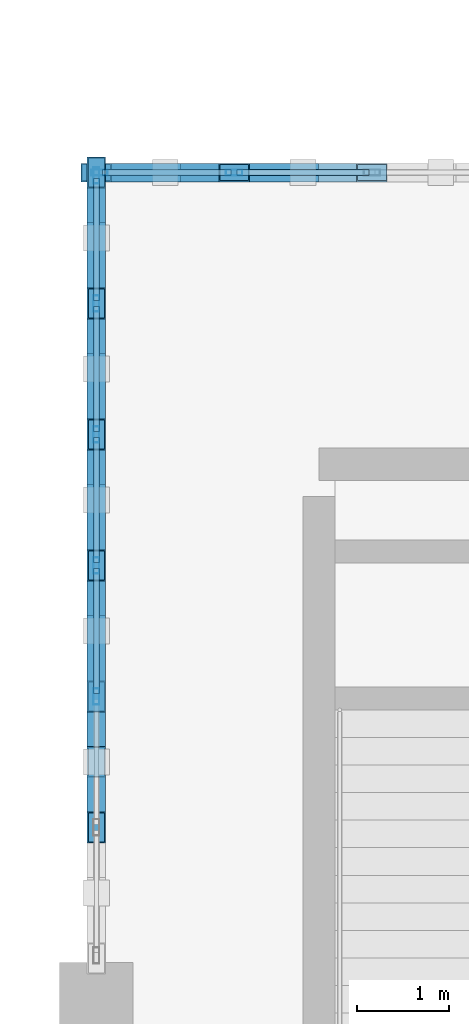
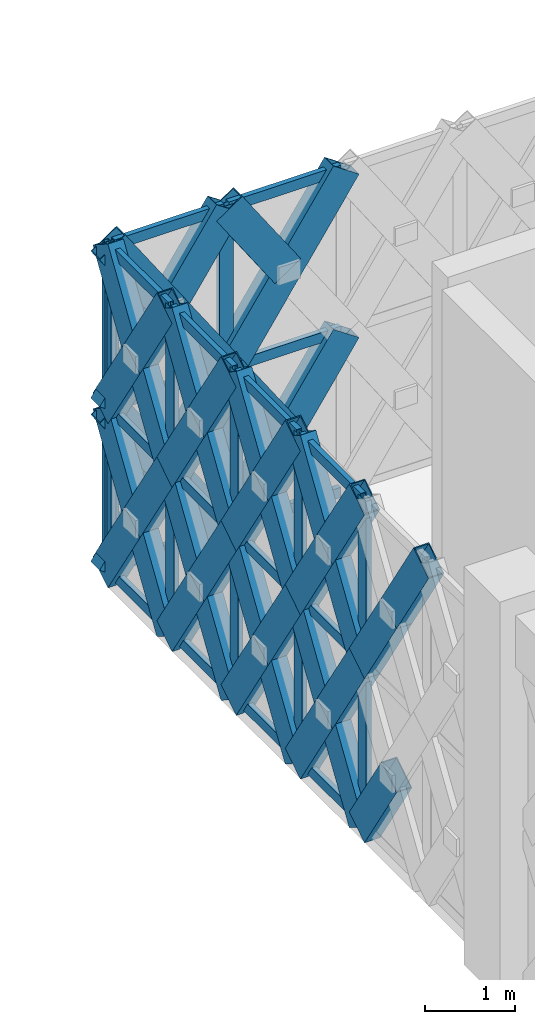
# One storey, part 33 of 86: 62 members, 2 elements without a shape of their own.
"""IFC4 building model written with IfcOpenShell, lengths in metres."""

import ifcopenshell
import ifcopenshell.guid

model = None  # the IFC model being written
_history = None  # IfcOwnerHistory: only IFC2X3 demands one
_inside = {}  # id of a spatial element -> (the spatial element, [elements in it])
_under = {}  # id of a project, library or spatial element -> (it, [spatial elements below it])
_declared = {}  # id of a project -> (the project, [libraries it declares])
_typed = {}  # id of a type object -> (the type object, [elements of that type])
_made_of = {}  # id of a material, layer set ... -> (it, [elements and type objects made of it])


def new_model(schema):
    """Start an empty IFC model of exactly this schema.

    Asked for "IFC4X3", IfcOpenShell would pick the latest addendum, in which some entities
    have other attributes; the version numbers below select the first issue.
    IFC2X3 requires an IfcOwnerHistory on every rooted entity: one is made here for all.
    """
    global model, _history
    if schema == "IFC4X3":
        model = ifcopenshell.file(schema_version=(4, 3, 0, 0))
    else:
        model = ifcopenshell.file(schema=schema)
    _inside.clear()
    _under.clear()
    _declared.clear()
    _typed.clear()
    _made_of.clear()
    _history = None
    if model.schema == "IFC2X3":
        org = make("IfcOrganization", Name="unknown")
        user = make(
            "IfcPersonAndOrganization",
            ThePerson=make("IfcPerson", FamilyName="unknown"),
            TheOrganization=org,
        )
        app = make(
            "IfcApplication",
            ApplicationDeveloper=org,
            Version="unknown",
            ApplicationFullName="unknown",
            ApplicationIdentifier="unknown",
        )
        _history = make(
            "IfcOwnerHistory",
            OwningUser=user,
            OwningApplication=app,
            ChangeAction="ADDED",
            CreationDate=0,
        )
    return model


def make(cls, **values):
    """One entity of the class cls with the attributes given. An attribute that is None is left unset."""
    return model.create_entity(
        cls, **{name: value for name, value in values.items() if value is not None}
    )


def rooted(cls, **values):
    """An entity with a GlobalId (a new one), such as an element, a storey or a relation."""
    return make(cls, GlobalId=ifcopenshell.guid.new(), OwnerHistory=_history, **values)


def si_unit(unit_type, name, prefix=None):
    """IfcSIUnit, for example si_unit("LENGTHUNIT", "METRE", prefix="MILLI")."""
    return make("IfcSIUnit", UnitType=unit_type, Prefix=prefix, Name=name)


def assignment(units):
    """IfcUnitAssignment: the units of a project."""
    return None if units is None else make("IfcUnitAssignment", Units=units)


def point(xyz):
    """IfcCartesianPoint."""
    return None if xyz is None else make("IfcCartesianPoint", Coordinates=xyz)


def direction(xyz):
    """IfcDirection."""
    return None if xyz is None else make("IfcDirection", DirectionRatios=xyz)


def frame(location, z_axis=None, x_axis=None):
    """IfcAxis2Placement3D, a coordinate frame: its origin and axes. An axis left out is left unset."""
    return make(
        "IfcAxis2Placement3D",
        Location=point(location),
        Axis=direction(z_axis),
        RefDirection=direction(x_axis),
    )


def frame_2d(location, x_axis=None):
    """IfcAxis2Placement2D, a coordinate frame in the plane: its origin and x axis."""
    return make(
        "IfcAxis2Placement2D", Location=point(location), RefDirection=direction(x_axis)
    )


def origin():
    """The frame at (0, 0, 0) with its axes left unset."""
    return frame((0.0, 0.0, 0.0))


def origin_2d():
    """The frame at (0, 0) in the plane with its x axis left unset."""
    return frame_2d((0.0, 0.0))


def place(relative_to, where):
    """IfcLocalPlacement: puts the frame where relative to a parent placement (None: the world)."""
    return make(
        "IfcLocalPlacement", PlacementRelTo=relative_to, RelativePlacement=where
    )


def context(
    kind, dimensions, precision=None, world=None, true_north=None, identifier=None
):
    """IfcGeometricRepresentationContext, for example the 3D "Model" context."""
    return make(
        "IfcGeometricRepresentationContext",
        ContextIdentifier=identifier,
        ContextType=kind,
        CoordinateSpaceDimension=dimensions,
        Precision=precision,
        WorldCoordinateSystem=world,
        TrueNorth=true_north,
    )


def subcontext(parent, identifier, kind, view, scale=None):
    """IfcGeometricRepresentationSubContext, for example "Body" below "Model"."""
    return make(
        "IfcGeometricRepresentationSubContext",
        ContextIdentifier=identifier,
        ContextType=kind,
        ParentContext=parent,
        TargetScale=scale,
        TargetView=view,
    )


def project(units=None, contexts=None):
    """IfcProject with its units and contexts."""
    return rooted(
        "IfcProject",
        Name="project",
        RepresentationContexts=contexts,
        UnitsInContext=assignment(units),
    )


def spatial(cls, under=None, at=None, **own):
    """A site, building, storey or space (cls), placed at a placement, below another one or the project."""
    s = rooted(cls, ObjectPlacement=at, **own)
    if under is not None:
        _under.setdefault(under.id(), (under, []))[1].append(s)
    return s


def profile(cls, at=None, kind="AREA", **sizes):
    """A parametric profile (cls). Its sizes go by their IFC names, for example OverallWidth=200.0."""
    return make(cls, ProfileType=kind, Position=at, **sizes)


def hollow_rectangle(**sizes):
    """IfcRectangleHollowProfileDef."""
    return profile("IfcRectangleHollowProfileDef", **sizes)


def extrude(swept, where, along, depth):
    """IfcExtrudedAreaSolid: the profile swept, set in the frame where, extruded along a direction by depth."""
    return make(
        "IfcExtrudedAreaSolid",
        SweptArea=swept,
        Position=where,
        ExtrudedDirection=direction(along),
        Depth=depth,
    )


def shape(context_of_items, identifier, shape_type, items):
    """IfcShapeRepresentation: the items that make up one representation, for example the "Body"."""
    return make(
        "IfcShapeRepresentation",
        ContextOfItems=context_of_items,
        RepresentationIdentifier=identifier,
        RepresentationType=shape_type,
        Items=items,
    )


def material(Name=None, Category=None):
    """IfcMaterial."""
    return make("IfcMaterial", Name=Name, Category=Category)


def material_profile(
    of_material, cross_section, Name=None, Category=None, Priority=None
):
    """IfcMaterialProfile: a cross section and its material."""
    return make(
        "IfcMaterialProfile",
        Name=Name,
        Material=of_material,
        Profile=cross_section,
        Priority=Priority,
        Category=Category,
    )


def profile_set(profiles, Name=None, composite=None):
    """IfcMaterialProfileSet."""
    return make(
        "IfcMaterialProfileSet",
        Name=Name,
        MaterialProfiles=profiles,
        CompositeProfile=composite,
    )


def made_of(thing, what):
    """Note that an element or type object is made of a material, layer set ...; save() writes the relation."""
    if what is not None:
        _made_of.setdefault(what.id(), (what, []))[1].append(thing)
    return thing


def type_object(cls, material=None, **own):
    """A type object (cls), such as IfcWallType, which elements share."""
    return made_of(rooted(cls, **own), material)


def element(
    cls,
    number,
    at=None,
    inside=None,
    cuts=None,
    type_object=None,
    material=None,
    context=None,
    identifier="Body",
    shape_type=None,
    held_by="IfcProductDefinitionShape",
    body=None,
    shapes=None,
    **own,
):
    """One element of the class cls, such as IfcWall. Its Tag is "e" and its number.

    at: its placement. inside: the storey or other place that contains it. cuts: it is an
    opening in that element (IfcRelVoidsElement). A single representation is given by context,
    identifier, shape_type and body (its items); several are given by shapes. held_by: the class
    of the entity that holds the representations. save() writes the other relations.
    """
    e = rooted(cls, Tag="e%d" % number, ObjectPlacement=at, **own)
    if body is not None:
        shapes = [shape(context, identifier, shape_type, body)]
    if shapes is not None:
        e.Representation = make(held_by, Representations=shapes)
    if inside is not None:
        _inside.setdefault(inside.id(), (inside, []))[1].append(e)
    if cuts is not None:
        rooted(
            "IfcRelVoidsElement", RelatingBuildingElement=cuts, RelatedOpeningElement=e
        )
    if type_object is not None:
        _typed.setdefault(type_object.id(), (type_object, []))[1].append(e)
    return made_of(e, material)


def aggregate(whole, parts):
    """IfcRelAggregates: a whole, such as a stair, and the parts it consists of."""
    return rooted("IfcRelAggregates", RelatingObject=whole, RelatedObjects=parts)


def save(model, path):
    """Write the relations noted so far, then the file.

    IfcRelAggregates (storeys below a building ...), IfcRelContainedInSpatialStructure (elements
    in a storey), IfcRelDefinesByType, IfcRelAssociatesMaterial and IfcRelDeclares: one each for
    every whole, place, type object, material and project.
    """
    for whole, parts in _under.values():
        aggregate(whole, parts)
    for where, things in _inside.values():
        rooted(
            "IfcRelContainedInSpatialStructure",
            RelatedElements=things,
            RelatingStructure=where,
        )
    for kind, things in _typed.values():
        rooted("IfcRelDefinesByType", RelatedObjects=things, RelatingType=kind)
    for what, things in _made_of.values():
        rooted("IfcRelAssociatesMaterial", RelatedObjects=things, RelatingMaterial=what)
    for by, libraries in _declared.values():
        rooted("IfcRelDeclares", RelatingContext=by, RelatedDefinitions=libraries)
    model.write(path)


model = new_model("IFC4")

# Units and contexts
model_context = context("Model", 3, precision=1e-05, world=origin(), true_north=direction((0.0, 1.0)))
body_context = subcontext(model_context, "Body", "Model", "MODEL_VIEW")
ifc_project = project(units=[si_unit("LENGTHUNIT", "METRE"), si_unit("AREAUNIT", "SQUARE_METRE"), si_unit("VOLUMEUNIT", "CUBIC_METRE"), si_unit("PLANEANGLEUNIT", "RADIAN"), si_unit("MASSUNIT", "GRAM", prefix="KILO")], contexts=[model_context])

# Site, building, storey
site_placement = place(None, origin())
site = spatial("IfcSite", under=ifc_project, at=site_placement, CompositionType="ELEMENT")
building_placement = place(site_placement, origin())
building = spatial("IfcBuilding", under=site, at=building_placement, Name="Haizhuo Lancet Aquarium", CompositionType="ELEMENT")
storey_placement = place(building_placement, frame((0.0, 0.0, 16.199951171875)))
storey = spatial("IfcBuildingStorey", under=building, at=storey_placement, Name="L03", CompositionType="ELEMENT", Elevation=16.199951171875)

# Curtain wall, members
ifc_material_1 = material(Name="Aluminium 6063-T6", Category="aluminium")
curtain_wall_type_1 = type_object("IfcCurtainWallType", Name="CWD-9000x4430", PredefinedType="NOTDEFINED", material=ifc_material_1)
curtain_wall_1_placement = place(storey_placement, origin())
curtain_wall_1 = element("IfcCurtainWall", 1, at=curtain_wall_1_placement, inside=storey, type_object=curtain_wall_type_1, Name="L03 curtain wall CW-V5-L03-160", PredefinedType="NOTDEFINED")
ifc_material_profile_1 = material_profile(ifc_material_1, hollow_rectangle(XDim=0.06494140625, YDim=0.179931640625, WallThickness=0.00390625, at=origin_2d()), Name="ALU-M 65x180x4")
ifc_profile_set_1 = profile_set([ifc_material_profile_1], Name="Aluminium 6063-T6")
member_type_1 = type_object("IfcMemberType", Name="CW-MUL-1", PredefinedType="MULLION", material=ifc_profile_set_1)
member_1_placement = place(storey_placement, frame((-26.968017578125, 54.0, 0.0), z_axis=(0.0, 0.0, 1.0), x_axis=(0.0, 1.0, 0.0)))
member_1 = element("IfcMember", 2, at=member_1_placement, type_object=member_type_1, Name="CWD-90x44 mullion 1", PredefinedType="MULLION", context=body_context, shape_type="SweptSolid", body=[
    extrude(hollow_rectangle(XDim=0.06494140625, YDim=0.179931640625, WallThickness=0.00390625, at=origin_2d()), origin(), (0.0, 0.0, 1.0), 4.43505859375),
])
member_2_placement = place(storey_placement, frame((-25.5, 54.0, 0.0), z_axis=(0.0, 0.0, 1.0), x_axis=(0.0, 1.0, 0.0)))
member_2 = element("IfcMember", 3, at=member_2_placement, type_object=member_type_1, Name="CWD-90x44 mullion 2", PredefinedType="MULLION", context=body_context, shape_type="SweptSolid", body=[
    extrude(hollow_rectangle(XDim=0.06494140625, YDim=0.179931640625, WallThickness=0.00390625, at=origin_2d()), origin(), (0.0, 0.0, 1.0), 4.43505859375),
])

curtain_wall_type_2 = type_object("IfcCurtainWallType", Name="CWD-8560x4450", PredefinedType="NOTDEFINED", material=ifc_material_1)
curtain_wall_2_placement = place(storey_placement, origin())
curtain_wall_2 = element("IfcCurtainWall", 4, at=curtain_wall_2_placement, inside=storey, type_object=curtain_wall_type_2, Name="L03 curtain wall CW-V5-L03-175", PredefinedType="NOTDEFINED")
member_3_placement = place(storey_placement, frame((-27.0, 48.297119140625, 0.0), z_axis=(0.0, 0.0, 1.0), x_axis=(-1.0, 0.0, 0.0)))
member_3 = element("IfcMember", 5, at=member_3_placement, type_object=member_type_1, Name="CWD-85x44 mullion 3", PredefinedType="MULLION", context=body_context, shape_type="SweptSolid", body=[
    extrude(hollow_rectangle(XDim=0.06494140625, YDim=0.179931640625, WallThickness=0.00390625, at=origin_2d()), origin(), (0.0, 0.0, 1.0), 4.449951171875),
])
member_4_placement = place(storey_placement, frame((-27.0, 49.721923828125, 0.0), z_axis=(0.0, 0.0, 1.0), x_axis=(-1.0, 0.0, 0.0)))
member_4 = element("IfcMember", 6, at=member_4_placement, type_object=member_type_1, Name="CWD-85x44 mullion 4", PredefinedType="MULLION", context=body_context, shape_type="SweptSolid", body=[
    extrude(hollow_rectangle(XDim=0.06494140625, YDim=0.179931640625, WallThickness=0.00390625, at=origin_2d()), origin(), (0.0, 0.0, 1.0), 4.449951171875),
])
member_5_placement = place(storey_placement, frame((-27.0, 51.14794921875, 0.0), z_axis=(0.0, 0.0, 1.0), x_axis=(-1.0, 0.0, 0.0)))
member_5 = element("IfcMember", 7, at=member_5_placement, type_object=member_type_1, Name="CWD-85x44 mullion 5", PredefinedType="MULLION", context=body_context, shape_type="SweptSolid", body=[
    extrude(hollow_rectangle(XDim=0.06494140625, YDim=0.179931640625, WallThickness=0.00390625, at=origin_2d()), origin(), (0.0, 0.0, 1.0), 4.449951171875),
])
member_6_placement = place(storey_placement, frame((-27.0, 52.573974609375, 0.0), z_axis=(0.0, 0.0, 1.0), x_axis=(-1.0, 0.0, 0.0)))
member_6 = element("IfcMember", 8, at=member_6_placement, type_object=member_type_1, Name="CWD-85x44 mullion 6", PredefinedType="MULLION", context=body_context, shape_type="SweptSolid", body=[
    extrude(hollow_rectangle(XDim=0.06494140625, YDim=0.179931640625, WallThickness=0.00390625, at=origin_2d()), origin(), (0.0, 0.0, 1.0), 4.449951171875),
])
member_7_placement = place(storey_placement, frame((-27.0, 53.968017578125, 0.0), z_axis=(0.0, 0.0, 1.0), x_axis=(-1.0, 0.0, 0.0)))
member_7 = element("IfcMember", 9, at=member_7_placement, type_object=member_type_1, Name="CWD-85x44 mullion 7", PredefinedType="MULLION", context=body_context, shape_type="SweptSolid", body=[
    extrude(hollow_rectangle(XDim=0.06494140625, YDim=0.179931640625, WallThickness=0.00390625, at=origin_2d()), origin(), (0.0, 0.0, 1.0), 4.449951171875),
])

# Member
ifc_material_profile_2 = material_profile(ifc_material_1, hollow_rectangle(XDim=0.06494140625, YDim=0.139892578125, WallThickness=0.00390625, at=origin_2d()), Name="ALU-T 65x140x4")
ifc_profile_set_2 = profile_set([ifc_material_profile_2], Name="Aluminium 6063-T6")
member_type_2 = type_object("IfcMemberType", Name="CW-TRN-1", PredefinedType="NOTDEFINED", material=ifc_profile_set_2)
member_8_placement = place(storey_placement, frame((-26.93505859375, 54.0, 0.031982421875), z_axis=(1.0, 0.0, 0.0), x_axis=(0.0, 1.0, 0.0)))
member_8 = element("IfcMember", 10, at=member_8_placement, type_object=member_type_2, Name="CWD-90x44 transom 1.1", ObjectType="TRANSOM", PredefinedType="USERDEFINED", context=body_context, shape_type="SweptSolid", body=[
    extrude(hollow_rectangle(XDim=0.06494140625, YDim=0.139892578125, WallThickness=0.00390625, at=origin_2d()), origin(), (0.0, 0.0, 1.0), 1.403076171875),
])

member_9_placement = place(storey_placement, frame((-26.93505859375, 54.0, 2.218017578125), z_axis=(1.0, 0.0, 0.0), x_axis=(0.0, 1.0, 0.0)))
member_9 = element("IfcMember", 11, at=member_9_placement, type_object=member_type_2, Name="CWD-90x44 transom 1.2", ObjectType="TRANSOM", PredefinedType="USERDEFINED", context=body_context, shape_type="SweptSolid", body=[
    extrude(hollow_rectangle(XDim=0.06494140625, YDim=0.139892578125, WallThickness=0.00390625, at=origin_2d()), origin(), (0.0, 0.0, 1.0), 1.403076171875),
])

member_10_placement = place(storey_placement, frame((-26.93505859375, 54.0, 4.403076171875), z_axis=(1.0, 0.0, 0.0), x_axis=(0.0, 1.0, 0.0)))
member_10 = element("IfcMember", 12, at=member_10_placement, type_object=member_type_2, Name="CWD-90x44 transom 1.3", ObjectType="TRANSOM", PredefinedType="USERDEFINED", context=body_context, shape_type="SweptSolid", body=[
    extrude(hollow_rectangle(XDim=0.06494140625, YDim=0.139892578125, WallThickness=0.00390625, at=origin_2d()), origin(), (0.0, 0.0, 1.0), 1.403076171875),
])

member_11_placement = place(storey_placement, frame((-25.468017578125, 54.0, 0.031982421875), z_axis=(1.0, 0.0, 0.0), x_axis=(0.0, 1.0, 0.0)))
member_11 = element("IfcMember", 13, at=member_11_placement, type_object=member_type_2, Name="CWD-90x44 transom 2.1", ObjectType="TRANSOM", PredefinedType="USERDEFINED", context=body_context, shape_type="SweptSolid", body=[
    extrude(hollow_rectangle(XDim=0.06494140625, YDim=0.139892578125, WallThickness=0.00390625, at=origin_2d()), origin(), (0.0, 0.0, 1.0), 1.43603515625),
])

member_12_placement = place(storey_placement, frame((-25.468017578125, 54.0, 2.218017578125), z_axis=(1.0, 0.0, 0.0), x_axis=(0.0, 1.0, 0.0)))
member_12 = element("IfcMember", 14, at=member_12_placement, type_object=member_type_2, Name="CWD-90x44 transom 2.2", ObjectType="TRANSOM", PredefinedType="USERDEFINED", context=body_context, shape_type="SweptSolid", body=[
    extrude(hollow_rectangle(XDim=0.06494140625, YDim=0.139892578125, WallThickness=0.00390625, at=origin_2d()), origin(), (0.0, 0.0, 1.0), 1.43603515625),
])

member_13_placement = place(storey_placement, frame((-25.468017578125, 54.0, 4.403076171875), z_axis=(1.0, 0.0, 0.0), x_axis=(0.0, 1.0, 0.0)))
member_13 = element("IfcMember", 15, at=member_13_placement, type_object=member_type_2, Name="CWD-90x44 transom 2.3", ObjectType="TRANSOM", PredefinedType="USERDEFINED", context=body_context, shape_type="SweptSolid", body=[
    extrude(hollow_rectangle(XDim=0.06494140625, YDim=0.139892578125, WallThickness=0.00390625, at=origin_2d()), origin(), (0.0, 0.0, 1.0), 1.43603515625),
])

aggregate(curtain_wall_1, [member_1, member_2, member_8, member_9, member_10, member_11, member_12, member_13])

member_14_placement = place(storey_placement, frame((-27.0, 48.3291015625, 0.031982421875), z_axis=(0.0, 1.0, 0.0), x_axis=(-1.0, 0.0, 0.0)))
member_14 = element("IfcMember", 16, at=member_14_placement, type_object=member_type_2, Name="CWD-85x44 transom 3.1", ObjectType="TRANSOM", PredefinedType="USERDEFINED", context=body_context, shape_type="SweptSolid", body=[
    extrude(hollow_rectangle(XDim=0.06494140625, YDim=0.139892578125, WallThickness=0.00390625, at=origin_2d()), origin(), (0.0, 0.0, 1.0), 1.36083984375),
])

member_15_placement = place(storey_placement, frame((-27.0, 48.3291015625, 2.22509765625), z_axis=(0.0, 1.0, 0.0), x_axis=(-1.0, 0.0, 0.0)))
member_15 = element("IfcMember", 17, at=member_15_placement, type_object=member_type_2, Name="CWD-85x44 transom 3.2", ObjectType="TRANSOM", PredefinedType="USERDEFINED", context=body_context, shape_type="SweptSolid", body=[
    extrude(hollow_rectangle(XDim=0.06494140625, YDim=0.139892578125, WallThickness=0.00390625, at=origin_2d()), origin(), (0.0, 0.0, 1.0), 1.36083984375),
])

member_16_placement = place(storey_placement, frame((-27.0, 48.3291015625, 4.4169921875), z_axis=(0.0, 1.0, 0.0), x_axis=(-1.0, 0.0, 0.0)))
member_16 = element("IfcMember", 18, at=member_16_placement, type_object=member_type_2, Name="CWD-85x44 transom 3.3", ObjectType="TRANSOM", PredefinedType="USERDEFINED", context=body_context, shape_type="SweptSolid", body=[
    extrude(hollow_rectangle(XDim=0.06494140625, YDim=0.139892578125, WallThickness=0.00390625, at=origin_2d()), origin(), (0.0, 0.0, 1.0), 1.36083984375),
])

member_17_placement = place(storey_placement, frame((-27.0, 49.7548828125, 0.031982421875), z_axis=(0.0, 1.0, 0.0), x_axis=(-1.0, 0.0, 0.0)))
member_17 = element("IfcMember", 19, at=member_17_placement, type_object=member_type_2, Name="CWD-85x44 transom 4.1", ObjectType="TRANSOM", PredefinedType="USERDEFINED", context=body_context, shape_type="SweptSolid", body=[
    extrude(hollow_rectangle(XDim=0.06494140625, YDim=0.139892578125, WallThickness=0.00390625, at=origin_2d()), origin(), (0.0, 0.0, 1.0), 1.361083984375),
])

member_18_placement = place(storey_placement, frame((-27.0, 49.7548828125, 2.22509765625), z_axis=(0.0, 1.0, 0.0), x_axis=(-1.0, 0.0, 0.0)))
member_18 = element("IfcMember", 20, at=member_18_placement, type_object=member_type_2, Name="CWD-85x44 transom 4.2", ObjectType="TRANSOM", PredefinedType="USERDEFINED", context=body_context, shape_type="SweptSolid", body=[
    extrude(hollow_rectangle(XDim=0.06494140625, YDim=0.139892578125, WallThickness=0.00390625, at=origin_2d()), origin(), (0.0, 0.0, 1.0), 1.361083984375),
])

member_19_placement = place(storey_placement, frame((-27.0, 49.7548828125, 4.4169921875), z_axis=(0.0, 1.0, 0.0), x_axis=(-1.0, 0.0, 0.0)))
member_19 = element("IfcMember", 21, at=member_19_placement, type_object=member_type_2, Name="CWD-85x44 transom 4.3", ObjectType="TRANSOM", PredefinedType="USERDEFINED", context=body_context, shape_type="SweptSolid", body=[
    extrude(hollow_rectangle(XDim=0.06494140625, YDim=0.139892578125, WallThickness=0.00390625, at=origin_2d()), origin(), (0.0, 0.0, 1.0), 1.361083984375),
])

member_20_placement = place(storey_placement, frame((-27.0, 51.180908203125, 0.031982421875), z_axis=(0.0, 1.0, 0.0), x_axis=(-1.0, 0.0, 0.0)))
member_20 = element("IfcMember", 22, at=member_20_placement, type_object=member_type_2, Name="CWD-85x44 transom 5.1", ObjectType="TRANSOM", PredefinedType="USERDEFINED", context=body_context, shape_type="SweptSolid", body=[
    extrude(hollow_rectangle(XDim=0.06494140625, YDim=0.139892578125, WallThickness=0.00390625, at=origin_2d()), origin(), (0.0, 0.0, 1.0), 1.361083984375),
])

member_21_placement = place(storey_placement, frame((-27.0, 51.180908203125, 2.22509765625), z_axis=(0.0, 1.0, 0.0), x_axis=(-1.0, 0.0, 0.0)))
member_21 = element("IfcMember", 23, at=member_21_placement, type_object=member_type_2, Name="CWD-85x44 transom 5.2", ObjectType="TRANSOM", PredefinedType="USERDEFINED", context=body_context, shape_type="SweptSolid", body=[
    extrude(hollow_rectangle(XDim=0.06494140625, YDim=0.139892578125, WallThickness=0.00390625, at=origin_2d()), origin(), (0.0, 0.0, 1.0), 1.361083984375),
])

member_22_placement = place(storey_placement, frame((-27.0, 51.180908203125, 4.4169921875), z_axis=(0.0, 1.0, 0.0), x_axis=(-1.0, 0.0, 0.0)))
member_22 = element("IfcMember", 24, at=member_22_placement, type_object=member_type_2, Name="CWD-85x44 transom 5.3", ObjectType="TRANSOM", PredefinedType="USERDEFINED", context=body_context, shape_type="SweptSolid", body=[
    extrude(hollow_rectangle(XDim=0.06494140625, YDim=0.139892578125, WallThickness=0.00390625, at=origin_2d()), origin(), (0.0, 0.0, 1.0), 1.361083984375),
])

member_23_placement = place(storey_placement, frame((-27.0, 52.60693359375, 0.031982421875), z_axis=(0.0, 1.0, 0.0), x_axis=(-1.0, 0.0, 0.0)))
member_23 = element("IfcMember", 25, at=member_23_placement, type_object=member_type_2, Name="CWD-85x44 transom 6.1", ObjectType="TRANSOM", PredefinedType="USERDEFINED", context=body_context, shape_type="SweptSolid", body=[
    extrude(hollow_rectangle(XDim=0.06494140625, YDim=0.139892578125, WallThickness=0.00390625, at=origin_2d()), origin(), (0.0, 0.0, 1.0), 1.328125),
])

member_24_placement = place(storey_placement, frame((-27.0, 52.60693359375, 2.22509765625), z_axis=(0.0, 1.0, 0.0), x_axis=(-1.0, 0.0, 0.0)))
member_24 = element("IfcMember", 26, at=member_24_placement, type_object=member_type_2, Name="CWD-85x44 transom 6.2", ObjectType="TRANSOM", PredefinedType="USERDEFINED", context=body_context, shape_type="SweptSolid", body=[
    extrude(hollow_rectangle(XDim=0.06494140625, YDim=0.139892578125, WallThickness=0.00390625, at=origin_2d()), origin(), (0.0, 0.0, 1.0), 1.328125),
])

member_25_placement = place(storey_placement, frame((-27.0, 52.60693359375, 4.4169921875), z_axis=(0.0, 1.0, 0.0), x_axis=(-1.0, 0.0, 0.0)))
member_25 = element("IfcMember", 27, at=member_25_placement, type_object=member_type_2, Name="CWD-85x44 transom 6.3", ObjectType="TRANSOM", PredefinedType="USERDEFINED", context=body_context, shape_type="SweptSolid", body=[
    extrude(hollow_rectangle(XDim=0.06494140625, YDim=0.139892578125, WallThickness=0.00390625, at=origin_2d()), origin(), (0.0, 0.0, 1.0), 1.328125),
])

aggregate(curtain_wall_2, [member_3, member_4, member_5, member_6, member_7, member_14, member_15, member_16, member_17, member_18, member_19, member_20, member_21, member_22, member_23, member_24, member_25])

# Members
ifc_material_2 = material(Name="Steel S355", Category="steel")
ifc_material_profile_3 = material_profile(ifc_material_2, hollow_rectangle(XDim=0.199951171875, YDim=0.39990234375, WallThickness=0.011962890625, at=origin_2d()), Name="RHS 200x400x12")
ifc_profile_set_3 = profile_set([ifc_material_profile_3], Name="Steel S355")
member_type_3 = type_object("IfcMemberType", Name="MEM-LB-RHS200x400", PredefinedType="BRACE", material=ifc_profile_set_3)
member_26_placement = place(storey_placement, frame((-27.0, 54.0, 0.0), z_axis=(0.560200814461, 0.0, 0.828356835837), x_axis=(0.0, 1.0, 0.0)))
element("IfcMember", 28, at=member_26_placement, inside=storey, type_object=member_type_3, Name="Gothic lancet continuous diagonal brace CW-V5-L03-160 1A", PredefinedType="BRACE", context=body_context, shape_type="SweptSolid", body=[
    extrude(hollow_rectangle(XDim=0.199951171875, YDim=0.39990234375, WallThickness=0.011962890625, at=origin_2d()), origin(), (0.0, 0.0, 1.0), 2.677490234375),
])
member_27_placement = place(storey_placement, frame((-25.5, 54.0, 0.0), z_axis=(-0.560158505884, 0.0, 0.828385446689), x_axis=(0.0, -1.0, 0.0)))
element("IfcMember", 29, at=member_27_placement, inside=storey, type_object=member_type_3, Name="Gothic lancet split diagonal brace CW-V5-L03-160 1B1", PredefinedType="BRACE", context=body_context, shape_type="SweptSolid", body=[
    extrude(hollow_rectangle(XDim=0.199951171875, YDim=0.39990234375, WallThickness=0.011962890625, at=origin_2d()), origin(), (0.0, 0.0, 1.0), 1.3388671875),
])
member_28_placement = place(storey_placement, frame((-26.25, 54.0, 1.109130859375), z_axis=(-0.560243127969, 0.0, 0.8283282185), x_axis=(0.0, -1.0, 0.0)))
element("IfcMember", 30, at=member_28_placement, inside=storey, type_object=member_type_3, Name="Gothic lancet split diagonal brace CW-V5-L03-160 1B2", PredefinedType="BRACE", context=body_context, shape_type="SweptSolid", body=[
    extrude(hollow_rectangle(XDim=0.199951171875, YDim=0.39990234375, WallThickness=0.011962890625, at=origin_2d()), origin(), (0.0, 0.0, 1.0), 1.338623046875),
])
member_29_placement = place(storey_placement, frame((-27.0, 54.0, 2.218017578125), z_axis=(0.560370098074, 0.0, 0.828242327573), x_axis=(0.0, 1.0, 0.0)))
element("IfcMember", 31, at=member_29_placement, inside=storey, type_object=member_type_3, Name="Gothic lancet continuous diagonal brace CW-V5-L03-160 2A", PredefinedType="BRACE", context=body_context, shape_type="SweptSolid", body=[
    extrude(hollow_rectangle(XDim=0.199951171875, YDim=0.39990234375, WallThickness=0.011962890625, at=origin_2d()), origin(), (0.0, 0.0, 1.0), 2.6767578125),
])
member_30_placement = place(storey_placement, frame((-25.5, 54.0, 2.218017578125), z_axis=(-0.560581813555, 0.0, 0.828099046196), x_axis=(0.0, -1.0, 0.0)))
element("IfcMember", 32, at=member_30_placement, inside=storey, type_object=member_type_3, Name="Gothic lancet split diagonal brace CW-V5-L03-160 2B1", PredefinedType="BRACE", context=body_context, shape_type="SweptSolid", body=[
    extrude(hollow_rectangle(XDim=0.199951171875, YDim=0.39990234375, WallThickness=0.011962890625, at=origin_2d()), origin(), (0.0, 0.0, 1.0), 1.337890625),
])
member_31_placement = place(storey_placement, frame((-26.25, 54.0, 3.325927734375), z_axis=(-0.560158505884, 0.0, 0.828385446689), x_axis=(0.0, -1.0, 0.0)))
element("IfcMember", 33, at=member_31_placement, inside=storey, type_object=member_type_3, Name="Gothic lancet split diagonal brace CW-V5-L03-160 2B2", PredefinedType="BRACE", context=body_context, shape_type="SweptSolid", body=[
    extrude(hollow_rectangle(XDim=0.199951171875, YDim=0.39990234375, WallThickness=0.011962890625, at=origin_2d()), origin(), (0.0, 0.0, 1.0), 1.3388671875),
])
member_32_placement = place(storey_placement, frame((-25.5, 54.0, 0.0), z_axis=(0.560200814461, 0.0, 0.828356835837), x_axis=(0.0, 1.0, 0.0)))
element("IfcMember", 34, at=member_32_placement, inside=storey, type_object=member_type_3, Name="Gothic lancet continuous diagonal brace CW-V5-L03-160 3A", PredefinedType="BRACE", context=body_context, shape_type="SweptSolid", body=[
    extrude(hollow_rectangle(XDim=0.199951171875, YDim=0.39990234375, WallThickness=0.011962890625, at=origin_2d()), origin(), (0.0, 0.0, 1.0), 2.677490234375),
])
member_33_placement = place(storey_placement, frame((-24.75, 54.0, 1.109130859375), z_axis=(-0.560243127969, 0.0, 0.8283282185), x_axis=(0.0, -1.0, 0.0)))
element("IfcMember", 35, at=member_33_placement, inside=storey, type_object=member_type_3, Name="Gothic lancet split diagonal brace CW-V5-L03-160 3B2", PredefinedType="BRACE", context=body_context, shape_type="SweptSolid", body=[
    extrude(hollow_rectangle(XDim=0.199951171875, YDim=0.39990234375, WallThickness=0.011962890625, at=origin_2d()), origin(), (0.0, 0.0, 1.0), 1.338623046875),
])
member_34_placement = place(storey_placement, frame((-25.5, 54.0, 2.218017578125), z_axis=(0.560370098074, 0.0, 0.828242327573), x_axis=(0.0, 1.0, 0.0)))
element("IfcMember", 36, at=member_34_placement, inside=storey, type_object=member_type_3, Name="Gothic lancet continuous diagonal brace CW-V5-L03-160 4A", PredefinedType="BRACE", context=body_context, shape_type="SweptSolid", body=[
    extrude(hollow_rectangle(XDim=0.199951171875, YDim=0.39990234375, WallThickness=0.011962890625, at=origin_2d()), origin(), (0.0, 0.0, 1.0), 2.6767578125),
])
member_35_placement = place(storey_placement, frame((-24.75, 54.0, 3.325927734375), z_axis=(-0.560158505884, 0.0, 0.828385446689), x_axis=(0.0, -1.0, 0.0)))
element("IfcMember", 37, at=member_35_placement, inside=storey, type_object=member_type_3, Name="Gothic lancet split diagonal brace CW-V5-L03-160 4B2", PredefinedType="BRACE", context=body_context, shape_type="SweptSolid", body=[
    extrude(hollow_rectangle(XDim=0.199951171875, YDim=0.39990234375, WallThickness=0.011962890625, at=origin_2d()), origin(), (0.0, 0.0, 1.0), 1.3388671875),
])
member_36_placement = place(storey_placement, frame((-27.0, 48.297119140625, 0.0), z_axis=(0.0, -0.539813881097, 0.841784398629), x_axis=(1.0, 0.0, 0.0)))
element("IfcMember", 38, at=member_36_placement, inside=storey, type_object=member_type_3, Name="Gothic lancet split diagonal brace CW-V5-L03-175 3B1", PredefinedType="BRACE", context=body_context, shape_type="SweptSolid", body=[
    extrude(hollow_rectangle(XDim=0.199951171875, YDim=0.39990234375, WallThickness=0.011962890625, at=origin_2d()), origin(), (0.0, 0.0, 1.0), 1.321044921875),
])
member_37_placement = place(storey_placement, frame((-27.0, 48.297119140625, 2.22509765625), z_axis=(0.0, -0.539478141367, 0.841999605099), x_axis=(1.0, 0.0, 0.0)))
element("IfcMember", 39, at=member_37_placement, inside=storey, type_object=member_type_3, Name="Gothic lancet split diagonal brace CW-V5-L03-175 4B1", PredefinedType="BRACE", context=body_context, shape_type="SweptSolid", body=[
    extrude(hollow_rectangle(XDim=0.199951171875, YDim=0.39990234375, WallThickness=0.011962890625, at=origin_2d()), origin(), (0.0, 0.0, 1.0), 1.32177734375),
])
member_38_placement = place(storey_placement, frame((-27.0, 47.583984375, 3.338134765625), z_axis=(0.0, -0.539766892056, 0.841814529597), x_axis=(1.0, 0.0, 0.0)))
element("IfcMember", 40, at=member_38_placement, inside=storey, type_object=member_type_3, Name="Gothic lancet split diagonal brace CW-V5-L03-175 4B2", PredefinedType="BRACE", context=body_context, shape_type="SweptSolid", body=[
    extrude(hollow_rectangle(XDim=0.199951171875, YDim=0.39990234375, WallThickness=0.011962890625, at=origin_2d()), origin(), (0.0, 0.0, 1.0), 1.32080078125),
])
member_39_placement = place(storey_placement, frame((-27.0, 48.297119140625, 0.0), z_axis=(0.0, 0.539252957312, 0.842143840463), x_axis=(-1.0, 0.0, 0.0)))
element("IfcMember", 41, at=member_39_placement, inside=storey, type_object=member_type_3, Name="Gothic lancet continuous diagonal brace CW-V5-L03-175 5A", PredefinedType="BRACE", context=body_context, shape_type="SweptSolid", body=[
    extrude(hollow_rectangle(XDim=0.199951171875, YDim=0.39990234375, WallThickness=0.011962890625, at=origin_2d()), origin(), (0.0, 0.0, 1.0), 2.64208984375),
])
member_40_placement = place(storey_placement, frame((-27.0, 49.721923828125, 0.0), z_axis=(0.0, -0.539158627909, 0.842204235297), x_axis=(1.0, 0.0, 0.0)))
element("IfcMember", 42, at=member_40_placement, inside=storey, type_object=member_type_3, Name="Gothic lancet split diagonal brace CW-V5-L03-175 5B1", PredefinedType="BRACE", context=body_context, shape_type="SweptSolid", body=[
    extrude(hollow_rectangle(XDim=0.199951171875, YDim=0.39990234375, WallThickness=0.011962890625, at=origin_2d()), origin(), (0.0, 0.0, 1.0), 1.3203125),
])
member_41_placement = place(storey_placement, frame((-27.0, 49.010009765625, 1.112060546875), z_axis=(0.0, -0.539347183686, 0.842083496721), x_axis=(1.0, 0.0, 0.0)))
element("IfcMember", 43, at=member_41_placement, inside=storey, type_object=member_type_3, Name="Gothic lancet split diagonal brace CW-V5-L03-175 5B2", PredefinedType="BRACE", context=body_context, shape_type="SweptSolid", body=[
    extrude(hollow_rectangle(XDim=0.199951171875, YDim=0.39990234375, WallThickness=0.011962890625, at=origin_2d()), origin(), (0.0, 0.0, 1.0), 1.32177734375),
])
member_42_placement = place(storey_placement, frame((-27.0, 48.297119140625, 2.22509765625), z_axis=(0.0, 0.539294921897, 0.842116967657), x_axis=(-1.0, 0.0, 0.0)))
element("IfcMember", 44, at=member_42_placement, inside=storey, type_object=member_type_3, Name="Gothic lancet continuous diagonal brace CW-V5-L03-175 6A", PredefinedType="BRACE", context=body_context, shape_type="SweptSolid", body=[
    extrude(hollow_rectangle(XDim=0.199951171875, YDim=0.39990234375, WallThickness=0.011962890625, at=origin_2d()), origin(), (0.0, 0.0, 1.0), 2.64208984375),
])
member_43_placement = place(storey_placement, frame((-27.0, 49.721923828125, 2.22509765625), z_axis=(0.0, -0.538822961455, 0.8424190265), x_axis=(1.0, 0.0, 0.0)))
element("IfcMember", 45, at=member_43_placement, inside=storey, type_object=member_type_3, Name="Gothic lancet split diagonal brace CW-V5-L03-175 6B1", PredefinedType="BRACE", context=body_context, shape_type="SweptSolid", body=[
    extrude(hollow_rectangle(XDim=0.199951171875, YDim=0.39990234375, WallThickness=0.011962890625, at=origin_2d()), origin(), (0.0, 0.0, 1.0), 1.3212890625),
])
member_44_placement = place(storey_placement, frame((-27.0, 49.010009765625, 3.338134765625), z_axis=(0.0, -0.539766892056, 0.841814529597), x_axis=(1.0, 0.0, 0.0)))
element("IfcMember", 46, at=member_44_placement, inside=storey, type_object=member_type_3, Name="Gothic lancet split diagonal brace CW-V5-L03-175 6B2", PredefinedType="BRACE", context=body_context, shape_type="SweptSolid", body=[
    extrude(hollow_rectangle(XDim=0.199951171875, YDim=0.39990234375, WallThickness=0.011962890625, at=origin_2d()), origin(), (0.0, 0.0, 1.0), 1.32080078125),
])
member_45_placement = place(storey_placement, frame((-27.0, 49.721923828125, 0.0), z_axis=(0.0, 0.539580492151, 0.841934019083), x_axis=(-1.0, 0.0, 0.0)))
element("IfcMember", 47, at=member_45_placement, inside=storey, type_object=member_type_3, Name="Gothic lancet continuous diagonal brace CW-V5-L03-175 7A", PredefinedType="BRACE", context=body_context, shape_type="SweptSolid", body=[
    extrude(hollow_rectangle(XDim=0.199951171875, YDim=0.39990234375, WallThickness=0.011962890625, at=origin_2d()), origin(), (0.0, 0.0, 1.0), 2.642822265625),
])
member_46_placement = place(storey_placement, frame((-27.0, 51.14794921875, 0.0), z_axis=(0.0, -0.539682908867, 0.841868373249), x_axis=(1.0, 0.0, 0.0)))
element("IfcMember", 48, at=member_46_placement, inside=storey, type_object=member_type_3, Name="Gothic lancet split diagonal brace CW-V5-L03-175 7B1", PredefinedType="BRACE", context=body_context, shape_type="SweptSolid", body=[
    extrude(hollow_rectangle(XDim=0.199951171875, YDim=0.39990234375, WallThickness=0.011962890625, at=origin_2d()), origin(), (0.0, 0.0, 1.0), 1.321044921875),
])
member_47_placement = place(storey_placement, frame((-27.0, 50.43505859375, 1.112060546875), z_axis=(0.0, -0.539478141367, 0.841999605099), x_axis=(1.0, 0.0, 0.0)))
element("IfcMember", 49, at=member_47_placement, inside=storey, type_object=member_type_3, Name="Gothic lancet split diagonal brace CW-V5-L03-175 7B2", PredefinedType="BRACE", context=body_context, shape_type="SweptSolid", body=[
    extrude(hollow_rectangle(XDim=0.199951171875, YDim=0.39990234375, WallThickness=0.011962890625, at=origin_2d()), origin(), (0.0, 0.0, 1.0), 1.32177734375),
])
member_48_placement = place(storey_placement, frame((-27.0, 49.721923828125, 2.22509765625), z_axis=(0.0, 0.539622461301, 0.841907120328), x_axis=(-1.0, 0.0, 0.0)))
element("IfcMember", 50, at=member_48_placement, inside=storey, type_object=member_type_3, Name="Gothic lancet continuous diagonal brace CW-V5-L03-175 8A", PredefinedType="BRACE", context=body_context, shape_type="SweptSolid", body=[
    extrude(hollow_rectangle(XDim=0.199951171875, YDim=0.39990234375, WallThickness=0.011962890625, at=origin_2d()), origin(), (0.0, 0.0, 1.0), 2.642578125),
])
member_49_placement = place(storey_placement, frame((-27.0, 51.14794921875, 2.22509765625), z_axis=(0.0, -0.539347183686, 0.842083496721), x_axis=(1.0, 0.0, 0.0)))
element("IfcMember", 51, at=member_49_placement, inside=storey, type_object=member_type_3, Name="Gothic lancet split diagonal brace CW-V5-L03-175 8B1", PredefinedType="BRACE", context=body_context, shape_type="SweptSolid", body=[
    extrude(hollow_rectangle(XDim=0.199951171875, YDim=0.39990234375, WallThickness=0.011962890625, at=origin_2d()), origin(), (0.0, 0.0, 1.0), 1.32177734375),
])
member_50_placement = place(storey_placement, frame((-27.0, 50.43505859375, 3.338134765625), z_axis=(0.0, -0.539897867906, 0.841730534215), x_axis=(1.0, 0.0, 0.0)))
element("IfcMember", 52, at=member_50_placement, inside=storey, type_object=member_type_3, Name="Gothic lancet split diagonal brace CW-V5-L03-175 8B2", PredefinedType="BRACE", context=body_context, shape_type="SweptSolid", body=[
    extrude(hollow_rectangle(XDim=0.199951171875, YDim=0.39990234375, WallThickness=0.011962890625, at=origin_2d()), origin(), (0.0, 0.0, 1.0), 1.32080078125),
])
member_51_placement = place(storey_placement, frame((-27.0, 51.14794921875, 0.0), z_axis=(0.0, 0.539580492151, 0.841934019083), x_axis=(-1.0, 0.0, 0.0)))
element("IfcMember", 53, at=member_51_placement, inside=storey, type_object=member_type_3, Name="Gothic lancet continuous diagonal brace CW-V5-L03-175 9A", PredefinedType="BRACE", context=body_context, shape_type="SweptSolid", body=[
    extrude(hollow_rectangle(XDim=0.199951171875, YDim=0.39990234375, WallThickness=0.011962890625, at=origin_2d()), origin(), (0.0, 0.0, 1.0), 2.642822265625),
])
member_52_placement = place(storey_placement, frame((-27.0, 52.573974609375, 0.0), z_axis=(0.0, -0.539682908867, 0.841868373249), x_axis=(1.0, 0.0, 0.0)))
element("IfcMember", 54, at=member_52_placement, inside=storey, type_object=member_type_3, Name="Gothic lancet split diagonal brace CW-V5-L03-175 9B1", PredefinedType="BRACE", context=body_context, shape_type="SweptSolid", body=[
    extrude(hollow_rectangle(XDim=0.199951171875, YDim=0.39990234375, WallThickness=0.011962890625, at=origin_2d()), origin(), (0.0, 0.0, 1.0), 1.321044921875),
])
member_53_placement = place(storey_placement, frame((-27.0, 51.861083984375, 1.112060546875), z_axis=(0.0, -0.539478141367, 0.841999605099), x_axis=(1.0, 0.0, 0.0)))
element("IfcMember", 55, at=member_53_placement, inside=storey, type_object=member_type_3, Name="Gothic lancet split diagonal brace CW-V5-L03-175 9B2", PredefinedType="BRACE", context=body_context, shape_type="SweptSolid", body=[
    extrude(hollow_rectangle(XDim=0.199951171875, YDim=0.39990234375, WallThickness=0.011962890625, at=origin_2d()), origin(), (0.0, 0.0, 1.0), 1.32177734375),
])
member_54_placement = place(storey_placement, frame((-27.0, 51.14794921875, 2.22509765625), z_axis=(0.0, 0.539622461301, 0.841907120328), x_axis=(-1.0, 0.0, 0.0)))
element("IfcMember", 56, at=member_54_placement, inside=storey, type_object=member_type_3, Name="Gothic lancet continuous diagonal brace CW-V5-L03-175 10A", PredefinedType="BRACE", context=body_context, shape_type="SweptSolid", body=[
    extrude(hollow_rectangle(XDim=0.199951171875, YDim=0.39990234375, WallThickness=0.011962890625, at=origin_2d()), origin(), (0.0, 0.0, 1.0), 2.642578125),
])
member_55_placement = place(storey_placement, frame((-27.0, 52.573974609375, 2.22509765625), z_axis=(0.0, -0.539347183686, 0.842083496721), x_axis=(1.0, 0.0, 0.0)))
element("IfcMember", 57, at=member_55_placement, inside=storey, type_object=member_type_3, Name="Gothic lancet split diagonal brace CW-V5-L03-175 10B1", PredefinedType="BRACE", context=body_context, shape_type="SweptSolid", body=[
    extrude(hollow_rectangle(XDim=0.199951171875, YDim=0.39990234375, WallThickness=0.011962890625, at=origin_2d()), origin(), (0.0, 0.0, 1.0), 1.32177734375),
])
member_56_placement = place(storey_placement, frame((-27.0, 51.861083984375, 3.338134765625), z_axis=(0.0, -0.539897867906, 0.841730534215), x_axis=(1.0, 0.0, 0.0)))
element("IfcMember", 58, at=member_56_placement, inside=storey, type_object=member_type_3, Name="Gothic lancet split diagonal brace CW-V5-L03-175 10B2", PredefinedType="BRACE", context=body_context, shape_type="SweptSolid", body=[
    extrude(hollow_rectangle(XDim=0.199951171875, YDim=0.39990234375, WallThickness=0.011962890625, at=origin_2d()), origin(), (0.0, 0.0, 1.0), 1.32080078125),
])
member_57_placement = place(storey_placement, frame((-27.0, 52.573974609375, 0.0), z_axis=(0.0, 0.539580492151, 0.841934019083), x_axis=(-1.0, 0.0, 0.0)))
element("IfcMember", 59, at=member_57_placement, inside=storey, type_object=member_type_3, Name="Gothic lancet continuous diagonal brace CW-V5-L03-175 11A", PredefinedType="BRACE", context=body_context, shape_type="SweptSolid", body=[
    extrude(hollow_rectangle(XDim=0.199951171875, YDim=0.39990234375, WallThickness=0.011962890625, at=origin_2d()), origin(), (0.0, 0.0, 1.0), 2.642822265625),
])
member_58_placement = place(storey_placement, frame((-27.0, 54.0, 0.0), z_axis=(0.0, -0.539682908867, 0.841868373249), x_axis=(1.0, 0.0, 0.0)))
element("IfcMember", 60, at=member_58_placement, inside=storey, type_object=member_type_3, Name="Gothic lancet split diagonal brace CW-V5-L03-175 11B1", PredefinedType="BRACE", context=body_context, shape_type="SweptSolid", body=[
    extrude(hollow_rectangle(XDim=0.199951171875, YDim=0.39990234375, WallThickness=0.011962890625, at=origin_2d()), origin(), (0.0, 0.0, 1.0), 1.321044921875),
])
member_59_placement = place(storey_placement, frame((-27.0, 53.287109375, 1.112060546875), z_axis=(0.0, -0.539478141367, 0.841999605099), x_axis=(1.0, 0.0, 0.0)))
element("IfcMember", 61, at=member_59_placement, inside=storey, type_object=member_type_3, Name="Gothic lancet split diagonal brace CW-V5-L03-175 11B2", PredefinedType="BRACE", context=body_context, shape_type="SweptSolid", body=[
    extrude(hollow_rectangle(XDim=0.199951171875, YDim=0.39990234375, WallThickness=0.011962890625, at=origin_2d()), origin(), (0.0, 0.0, 1.0), 1.32177734375),
])
member_60_placement = place(storey_placement, frame((-27.0, 52.573974609375, 2.22509765625), z_axis=(0.0, 0.539622461301, 0.841907120328), x_axis=(-1.0, 0.0, 0.0)))
element("IfcMember", 62, at=member_60_placement, inside=storey, type_object=member_type_3, Name="Gothic lancet continuous diagonal brace CW-V5-L03-175 12A", PredefinedType="BRACE", context=body_context, shape_type="SweptSolid", body=[
    extrude(hollow_rectangle(XDim=0.199951171875, YDim=0.39990234375, WallThickness=0.011962890625, at=origin_2d()), origin(), (0.0, 0.0, 1.0), 2.642578125),
])
member_61_placement = place(storey_placement, frame((-27.0, 54.0, 2.22509765625), z_axis=(0.0, -0.539347183686, 0.842083496721), x_axis=(1.0, 0.0, 0.0)))
element("IfcMember", 63, at=member_61_placement, inside=storey, type_object=member_type_3, Name="Gothic lancet split diagonal brace CW-V5-L03-175 12B1", PredefinedType="BRACE", context=body_context, shape_type="SweptSolid", body=[
    extrude(hollow_rectangle(XDim=0.199951171875, YDim=0.39990234375, WallThickness=0.011962890625, at=origin_2d()), origin(), (0.0, 0.0, 1.0), 1.32177734375),
])
member_62_placement = place(storey_placement, frame((-27.0, 53.287109375, 3.338134765625), z_axis=(0.0, -0.539897867906, 0.841730534215), x_axis=(1.0, 0.0, 0.0)))
element("IfcMember", 64, at=member_62_placement, inside=storey, type_object=member_type_3, Name="Gothic lancet split diagonal brace CW-V5-L03-175 12B2", PredefinedType="BRACE", context=body_context, shape_type="SweptSolid", body=[
    extrude(hollow_rectangle(XDim=0.199951171875, YDim=0.39990234375, WallThickness=0.011962890625, at=origin_2d()), origin(), (0.0, 0.0, 1.0), 1.32080078125),
])

save(model, "model.ifc")
